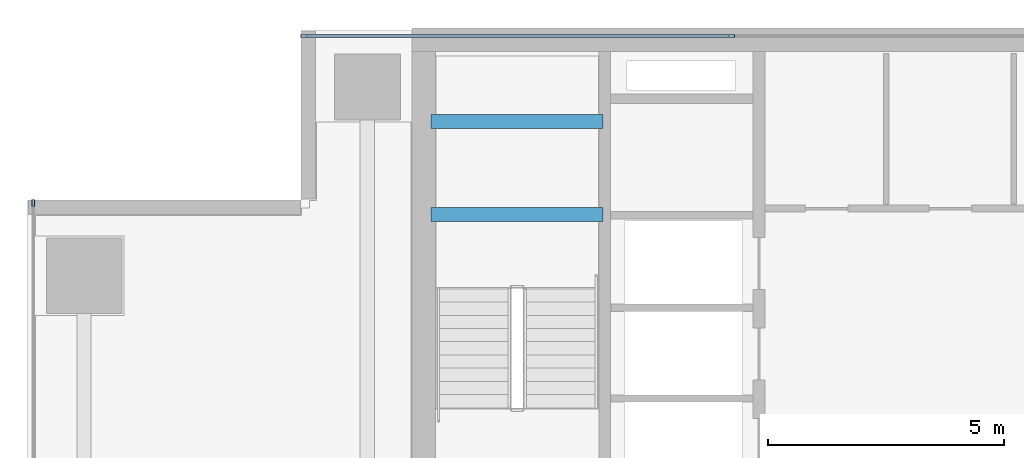
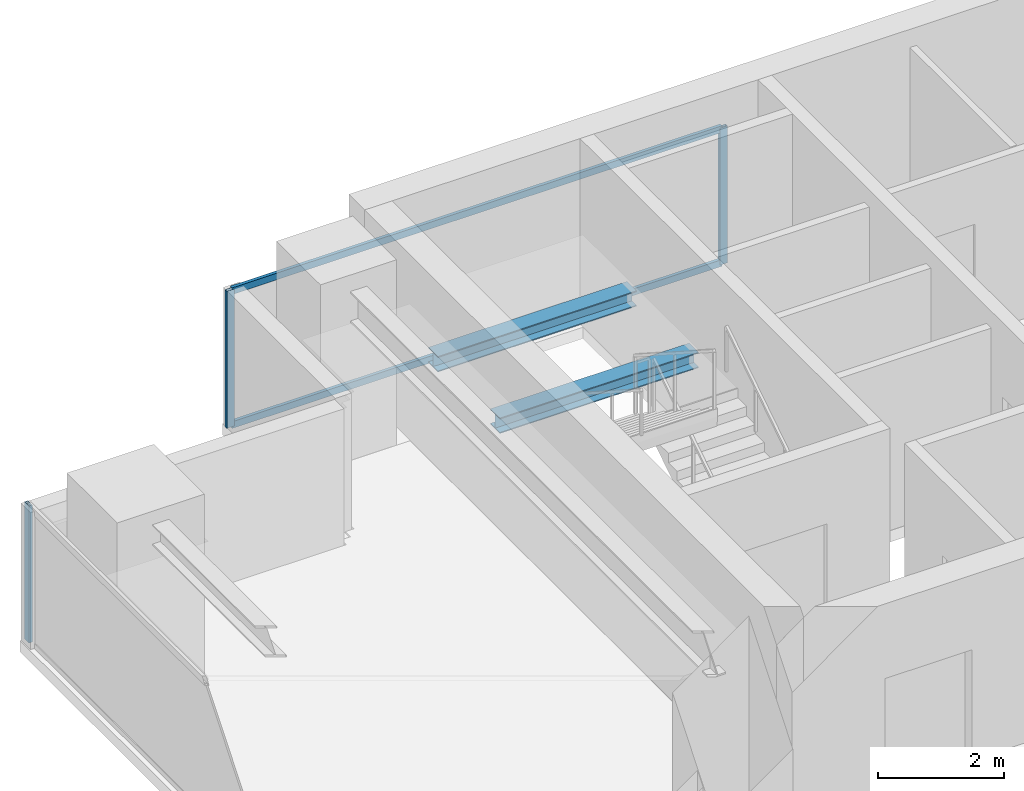
# One storey, part 21 of 32: 5 members, 2 beams, 2 elements without a shape of their own.
"""IFC4 building model written with IfcOpenShell, lengths in metres."""

from ifc_helpers import new_model, si_unit, direction, frame, origin, origin_2d, place, context, subcontext, project, spatial, hollow_rectangle, i_section, extrude, source, transform, mapped, material, layer, layer_set, material_profile, profile_set, type_object, element, aggregate, save


model = new_model("IFC4")

# Units and contexts
model_context = context("Model", 3, precision=1e-05, world=origin(), true_north=direction((0.0, 1.0)))
body_context = subcontext(model_context, "Body", "Model", "MODEL_VIEW")
ifc_project = project(units=[si_unit("LENGTHUNIT", "METRE"), si_unit("AREAUNIT", "SQUARE_METRE"), si_unit("VOLUMEUNIT", "CUBIC_METRE"), si_unit("PLANEANGLEUNIT", "RADIAN"), si_unit("MASSUNIT", "GRAM", prefix="KILO")], contexts=[model_context])

# Site, building, storey
site_placement = place(None, origin())
site = spatial("IfcSite", under=ifc_project, at=site_placement, CompositionType="ELEMENT")
building_placement = place(site_placement, origin())
building = spatial("IfcBuilding", under=site, at=building_placement, Name="Sumidabori Civic Tower", CompositionType="ELEMENT")
storey_placement = place(building_placement, frame((0.0, 0.0, 225.199951171875)))
storey = spatial("IfcBuildingStorey", under=building, at=storey_placement, Name="L58", CompositionType="ELEMENT", Elevation=225.199951171875)

# Beams
ifc_material_1 = material(Name="Steel SN490", Category="steel")
ifc_material_profile_1 = material_profile(ifc_material_1, i_section(OverallWidth=0.300048828125, OverallDepth=0.300048828125, WebThickness=0.010986328125, FlangeThickness=0.01904296875, at=origin_2d()), Name="HE 300 B")
ifc_profile_set_1 = profile_set([ifc_material_profile_1], Name="Steel SN490")
beam_type = type_object("IfcBeamType", Name="BM-LDG-300", PredefinedType="BEAM", material=ifc_profile_set_1)
shared_shape_1 = source(origin(), body_context, "Body", "SweptSolid", [
    extrude(i_section(OverallWidth=0.300048828125, OverallDepth=0.300048828125, WebThickness=0.010986328125, FlangeThickness=0.01904296875, at=origin_2d()), origin(), (0.0, 0.0, 1.0), 3.64990234375),
])
for number, where, z_axis, x_axis, name in (
    (1, (-15.449951171875, 20.09765625, 1.449951171875), (1.0, 0.0, 0.0), (0.0, 1.0, 0.0), "Stair ST-1 Landing Support Beam L58-1A"),
    (2, (-15.449951171875, 22.069580078125, 1.449951171875), (1.0, 0.0, 0.0), (0.0, 1.0, 0.0), "Stair ST-1 Landing Trimmer Beam L58-1B"),
):
    element("IfcBeam", number, at=place(storey_placement, frame(where, z_axis=z_axis, x_axis=x_axis)), inside=storey, type_object=beam_type, Name=name, PredefinedType="BEAM", context=body_context, shape_type="MappedRepresentation", body=[
        mapped(shared_shape_1, transform((0.0, 0.0, 0.0), x_axis=(1.0, 0.0, 0.0), y_axis=(0.0, 1.0, 0.0), z_axis=(0.0, 0.0, 1.0), scale=1.0)),
    ])

# Curtain wall, members
ifc_material_2 = material(Name="Anodised Bronze Aluminium AW-6063-T6", Category="aluminium")
ifc_layer = layer(ifc_material_2, 0.179931640625, Name="Anodised Bronze Aluminium AW-6063-T6")
ifc_layer_set = layer_set([ifc_layer], Name="Anodised Bronze Aluminium AW-6063-T6")
curtain_wall_type = type_object("IfcCurtainWallType", Name="CW-SYS-5", PredefinedType="NOTDEFINED", material=ifc_layer_set)
curtain_wall_1_placement = place(storey_placement, origin())
curtain_wall_1 = element("IfcCurtainWall", 3, at=curtain_wall_1_placement, inside=storey, type_object=curtain_wall_type, Name="Curtain Wall CW:L58:R14", PredefinedType="NOTDEFINED")
ifc_material_profile_2 = material_profile(ifc_material_2, hollow_rectangle(XDim=0.06005859375, YDim=0.1298828125, WallThickness=0.0048828125, at=origin_2d()), Name="ALU TRANSOM 130x60")
ifc_profile_set_2 = profile_set([ifc_material_profile_2], Name="Anodised Bronze Aluminium AW-6063-T6")
member_type_1 = type_object("IfcMemberType", Name="CW-TRN-130", PredefinedType="USERDEFINED", material=ifc_profile_set_2)
shared_shape_2 = source(origin(), body_context, "Body", "SweptSolid", [
    extrude(hollow_rectangle(XDim=0.06005859375, YDim=0.1298828125, WallThickness=0.0048828125, at=origin_2d()), origin(), (0.0, 0.0, 1.0), 8.9951171875),
])
member_1_placement = place(storey_placement, frame((-9.114990234375, 23.8798828125, 0.030029296875), z_axis=(-1.0, 0.0, 0.0), x_axis=(0.0, -1.0, 0.0)))
member_1 = element("IfcMember", 4, at=member_1_placement, type_object=member_type_1, Name="CW-5 transom 4.1", ObjectType="TRANSOM", PredefinedType="USERDEFINED", context=body_context, shape_type="MappedRepresentation", body=[
    mapped(shared_shape_2, transform((0.0, 0.0, 0.0), x_axis=(1.0, 0.0, 0.0), y_axis=(0.0, 1.0, 0.0), z_axis=(0.0, 0.0, 1.0), scale=1.0)),
])
member_2_placement = place(storey_placement, frame((-9.114990234375, 23.8798828125, 2.630126953125), z_axis=(-1.0, 0.0, 0.0), x_axis=(0.0, -1.0, 0.0)))
member_2 = element("IfcMember", 5, at=member_2_placement, type_object=member_type_1, Name="CW-5 transom 4.2", ObjectType="TRANSOM", PredefinedType="USERDEFINED", context=body_context, shape_type="MappedRepresentation", body=[
    mapped(shared_shape_2, transform((0.0, 0.0, 0.0), x_axis=(1.0, 0.0, 0.0), y_axis=(0.0, 1.0, 0.0), z_axis=(0.0, 0.0, 1.0), scale=1.0)),
])
ifc_material_profile_3 = material_profile(ifc_material_2, hollow_rectangle(XDim=0.06005859375, YDim=0.139892578125, WallThickness=0.0048828125, at=origin_2d()), Name="ALU MULLION 140x60")
ifc_profile_set_3 = profile_set([ifc_material_profile_3], Name="Anodised Bronze Aluminium AW-6063-T6")
member_type_2 = type_object("IfcMemberType", Name="CW-MUL-140", PredefinedType="MULLION", material=ifc_profile_set_3)
shared_shape_3 = source(origin(), body_context, "Body", "SweptSolid", [
    extrude(hollow_rectangle(XDim=0.06005859375, YDim=0.139892578125, WallThickness=0.0048828125, at=origin_2d()), origin(), (0.0, 0.0, 1.0), 2.66015625),
])
member_3_placement = place(storey_placement, frame((-9.0849609375, 23.8798828125, 0.0), z_axis=(0.0, 0.0, 1.0), x_axis=(0.0, -1.0, 0.0)))
member_3 = element("IfcMember", 6, at=member_3_placement, type_object=member_type_2, Name="CW-5 mullion 4", PredefinedType="MULLION", context=body_context, shape_type="MappedRepresentation", body=[
    mapped(shared_shape_3, transform((0.0, 0.0, 0.0), x_axis=(1.0, 0.0, 0.0), y_axis=(0.0, 1.0, 0.0), z_axis=(0.0, 0.0, 1.0), scale=1.0)),
])
member_4_placement = place(storey_placement, frame((-18.139892578125, 23.8798828125, 0.0), z_axis=(0.0, 0.0, 1.0), x_axis=(0.0, -1.0, 0.0)))
member_4 = element("IfcMember", 7, at=member_4_placement, type_object=member_type_2, Name="CW-5 mullion 5", PredefinedType="MULLION", context=body_context, shape_type="MappedRepresentation", body=[
    mapped(shared_shape_3, transform((0.0, 0.0, 0.0), x_axis=(1.0, 0.0, 0.0), y_axis=(0.0, 1.0, 0.0), z_axis=(0.0, 0.0, 1.0), scale=1.0)),
])
aggregate(curtain_wall_1, [member_3, member_4, member_1, member_2])

# Curtain wall, member
curtain_wall_2_placement = place(storey_placement, origin())
curtain_wall_2 = element("IfcCurtainWall", 8, at=curtain_wall_2_placement, inside=storey, type_object=curtain_wall_type, Name="Curtain Wall CW:L58:R17", PredefinedType="NOTDEFINED")
member_5_placement = place(storey_placement, frame((-23.8798828125, 20.340087890625, 0.0), z_axis=(0.0, 0.0, 1.0), x_axis=(1.0, 0.0, 0.0)))
member_5 = element("IfcMember", 9, at=member_5_placement, type_object=member_type_2, Name="CW-5 mullion 1", PredefinedType="MULLION", context=body_context, shape_type="MappedRepresentation", body=[
    mapped(shared_shape_3, transform((0.0, 0.0, 0.0), x_axis=(1.0, 0.0, 0.0), y_axis=(0.0, 1.0, 0.0), z_axis=(0.0, 0.0, 1.0), scale=1.0)),
])
aggregate(curtain_wall_2, [member_5])

save(model, "model.ifc")
